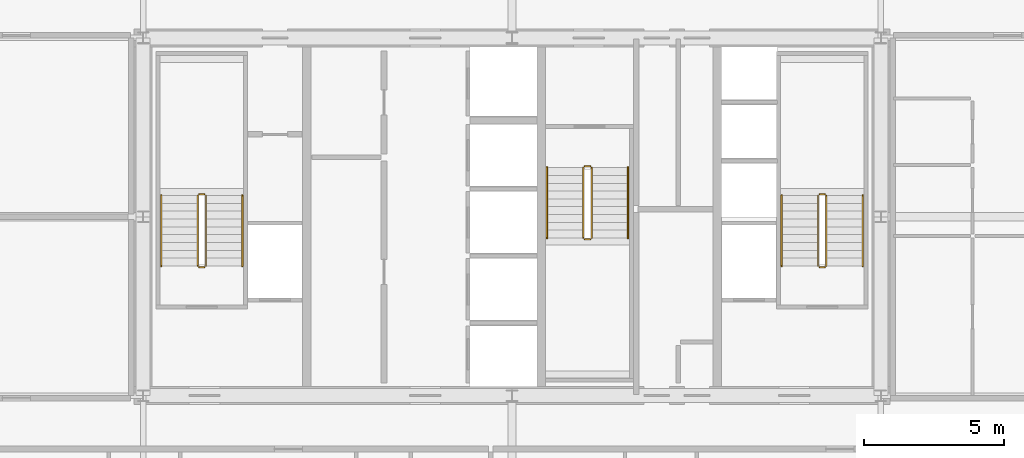
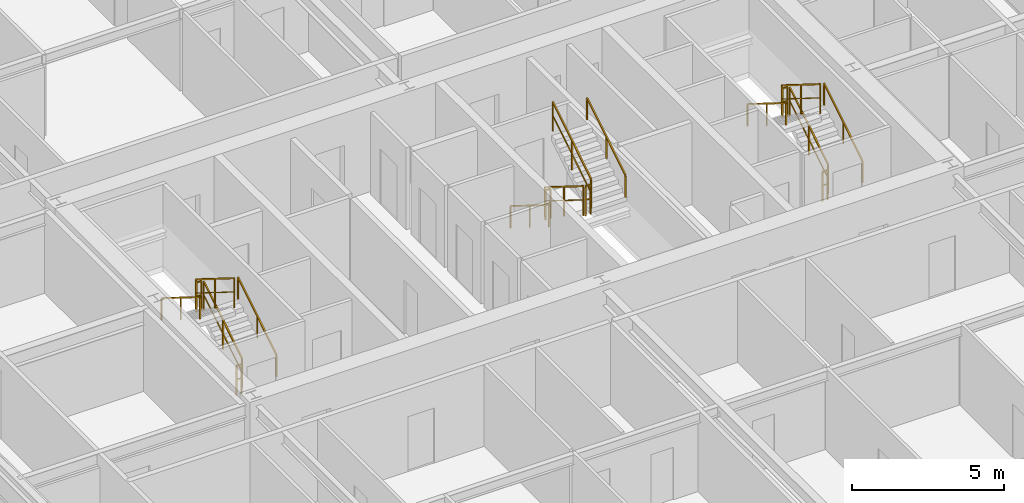
# One storey, part 38 of 38: 18 railings.
"""IFC4 building model written with IfcOpenShell, lengths in metres."""

from ifc_helpers import new_model, si_unit, direction, frame, origin, origin_2d, place, context, subcontext, project, spatial, rectangle, extrude, source, transform, mapped, material, layer, layer_set, type_object, element, save


model = new_model("IFC4")

# Units and contexts
model_context = context("Model", 3, precision=1e-05, world=origin(), true_north=direction((0.0, 1.0)))
body_context = subcontext(model_context, "Body", "Model", "MODEL_VIEW")
ifc_project = project(units=[si_unit("LENGTHUNIT", "METRE"), si_unit("AREAUNIT", "SQUARE_METRE"), si_unit("VOLUMEUNIT", "CUBIC_METRE"), si_unit("PLANEANGLEUNIT", "RADIAN"), si_unit("MASSUNIT", "GRAM", prefix="KILO"), si_unit("THERMODYNAMICTEMPERATUREUNIT", "KELVIN"), si_unit("POWERUNIT", "WATT")], contexts=[model_context])

# Site, building, storey
site_placement = place(None, origin())
site = spatial("IfcSite", under=ifc_project, at=site_placement, CompositionType="ELEMENT")
building_placement = place(site_placement, origin())
building = spatial("IfcBuilding", under=site, at=building_placement, Name="Yuzanri Waterfront Tower", CompositionType="ELEMENT")
storey_placement = place(building_placement, frame((0.0, 0.0, 195.0)))
storey = spatial("IfcBuildingStorey", under=building, at=storey_placement, Name="L51", CompositionType="ELEMENT", Elevation=195.0)

# Railings
ifc_material_1 = material(Name="Painted Galvanized Fire Steel", Category="steel")
ifc_layer_1 = layer(ifc_material_1, 0.06005859375)
ifc_layer_set_1 = layer_set([ifc_layer_1], Name="Painted Galvanized Fire Steel")
railing_type_1 = type_object("IfcRailingType", Name="Painted Steel Stairwell Guardrail 1120", PredefinedType="GUARDRAIL", material=ifc_layer_set_1)
shared_shape_1 = source(origin(), body_context, "Body", "SweptSolid", [
    extrude(rectangle(XDim=0.050048828125, YDim=0.050048828125, at=origin_2d()), frame((0.0, 0.0, 1.1748046875), z_axis=(-1.0, 0.0, 0.0), x_axis=(0.0, -1.0, 0.0)), (0.0, 0.0, 1.0), 0.199951171875),
    extrude(rectangle(XDim=0.035888671875, YDim=0.030029296875, at=origin_2d()), frame((0.0, 0.0, 0.6240234375), z_axis=(-1.0, 0.0, 0.0), x_axis=(0.0, -1.0, 0.0)), (0.0, 0.0, 1.0), 0.199951171875),
    extrude(rectangle(XDim=0.0458984375, YDim=0.0458984375, at=origin_2d()), origin(), (0.0, 0.0, 1.0), 1.14990234375),
    extrude(rectangle(XDim=0.0458984375, YDim=0.0458984375, at=origin_2d()), frame((-0.199951171875, 0.0, 0.0)), (0.0, 0.0, 1.0), 1.14990234375),
])
for number, where, name in (
    (1, (26.0, 26.610107421875, 1.75), "L51 ST-01 stair guard 2"),
    (2, (26.0, 23.989990234375, 0.0), "L51 ST-01 stair guard 4"),
    (3, (48.199951171875, 26.610107421875, 1.75), "L51 ST-02 stair guard 2"),
    (4, (48.199951171875, 23.989990234375, 0.0), "L51 ST-02 stair guard 4"),
):
    element("IfcRailing", number, at=place(storey_placement, frame(where)), inside=storey, type_object=railing_type_1, Name=name, PredefinedType="GUARDRAIL", context=body_context, shape_type="MappedRepresentation", body=[
        mapped(shared_shape_1, transform((0.0, 0.0, 0.0), scale=1.0)),
    ])
shared_shape_2 = source(origin(), body_context, "Body", "SweptSolid", [
    extrude(rectangle(XDim=0.050048828125, YDim=0.050048828125, at=origin_2d()), frame((0.0, 0.0, 1.1748046875), z_axis=(0.0, 0.848007534815, 0.529984170421), x_axis=(-1.0, 0.0, 0.0)), (0.0, 0.0, 1.0), 2.9716796875),
    extrude(rectangle(XDim=0.035888671875, YDim=0.030029296875, at=origin_2d()), frame((0.0, 0.0, 0.6240234375), z_axis=(0.0, 0.848007534815, 0.529984170421), x_axis=(-1.0, 0.0, 0.0)), (0.0, 0.0, 1.0), 2.9716796875),
    extrude(rectangle(XDim=0.0458984375, YDim=0.0458984375, at=origin_2d()), origin(), (0.0, 0.0, 1.0), 1.14990234375),
    extrude(rectangle(XDim=0.0458984375, YDim=0.0458984375, at=origin_2d()), frame((0.0, 1.260009765625, 0.78759765625)), (0.0, 0.0, 1.0), 1.14990234375),
    extrude(rectangle(XDim=0.0458984375, YDim=0.0458984375, at=origin_2d()), frame((0.0, 2.52001953125, 1.574951171875)), (0.0, 0.0, 1.0), 1.14990234375),
])
for number, where, name in (
    (5, (26.050048828125, 24.0400390625, 0.175048828125), "L51 ST-01 stair guard 1"),
    (6, (48.25, 24.0400390625, 0.175048828125), "L51 ST-02 stair guard 1"),
    (7, (39.85009765625, 25.0400390625, 1.925048828125), "L51 ST-03 stair guard 3"),
):
    element("IfcRailing", number, at=place(storey_placement, frame(where)), inside=storey, type_object=railing_type_1, Name=name, PredefinedType="GUARDRAIL", context=body_context, shape_type="MappedRepresentation", body=[
        mapped(shared_shape_2, transform((0.0, 0.0, 0.0), scale=1.0)),
    ])
shared_shape_3 = source(origin(), body_context, "Body", "SweptSolid", [
    extrude(rectangle(XDim=0.050048828125, YDim=0.050048828125, at=origin_2d()), frame((0.0, 0.0, 1.1748046875), z_axis=(0.0, -0.848007534815, 0.529984170421), x_axis=(1.0, 0.0, 0.0)), (0.0, 0.0, 1.0), 2.9716796875),
    extrude(rectangle(XDim=0.035888671875, YDim=0.030029296875, at=origin_2d()), frame((0.0, 0.0, 0.6240234375), z_axis=(0.0, -0.848007534815, 0.529984170421), x_axis=(1.0, 0.0, 0.0)), (0.0, 0.0, 1.0), 2.9716796875),
    extrude(rectangle(XDim=0.0458984375, YDim=0.0458984375, at=origin_2d()), origin(), (0.0, 0.0, 1.0), 1.14990234375),
    extrude(rectangle(XDim=0.0458984375, YDim=0.0458984375, at=origin_2d()), frame((0.0, -1.260009765625, 0.78759765625)), (0.0, 0.0, 1.0), 1.14990234375),
    extrude(rectangle(XDim=0.0458984375, YDim=0.0458984375, at=origin_2d()), frame((0.0, -2.52001953125, 1.574951171875)), (0.0, 0.0, 1.0), 1.14990234375),
])
for number, where, name in (
    (8, (25.75, 26.56005859375, 1.925048828125), "L51 ST-01 stair guard 3"),
    (9, (47.949951171875, 26.56005859375, 1.925048828125), "L51 ST-02 stair guard 3"),
    (10, (39.550048828125, 27.56005859375, 0.175048828125), "L51 ST-03 stair guard 1"),
):
    element("IfcRailing", number, at=place(storey_placement, frame(where)), inside=storey, type_object=railing_type_1, Name=name, PredefinedType="GUARDRAIL", context=body_context, shape_type="MappedRepresentation", body=[
        mapped(shared_shape_3, transform((0.0, 0.0, 0.0), scale=1.0)),
    ])
ifc_material_2 = material(Name="Anodized Architectural Bronze", Category="metal")
ifc_layer_2 = layer(ifc_material_2, 0.050048828125)
ifc_layer_set_2 = layer_set([ifc_layer_2], Name="Anodized Architectural Bronze")
railing_type_2 = type_object("IfcRailingType", Name="Brushed Bronze Stair Pitch Handrail 920", PredefinedType="HANDRAIL", material=ifc_layer_set_2)
shared_shape_4 = source(origin(), body_context, "Body", "SweptSolid", [
    extrude(rectangle(XDim=0.050048828125, YDim=0.050048828125, at=origin_2d()), frame((0.0, 0.0, 0.875), z_axis=(0.0, 0.848007534815, 0.529984170421), x_axis=(-1.0, 0.0, 0.0)), (0.0, 0.0, 1.0), 2.9716796875),
    extrude(rectangle(XDim=0.0458984375, YDim=0.0458984375, at=origin_2d()), origin(), (0.0, 0.0, 1.0), 0.849853515625),
    extrude(rectangle(XDim=0.0458984375, YDim=0.0458984375, at=origin_2d()), frame((0.0, 1.260009765625, 0.78759765625)), (0.0, 0.0, 1.0), 0.849853515625),
    extrude(rectangle(XDim=0.0458984375, YDim=0.0458984375, at=origin_2d()), frame((0.0, 2.52001953125, 1.574951171875)), (0.0, 0.0, 1.0), 0.849853515625),
])
for number, where, name in (
    (11, (27.35009765625, 24.0400390625, 0.175048828125), "L51 ST-01 stair handrail 1"),
    (12, (49.550048828125, 24.0400390625, 0.175048828125), "L51 ST-02 stair handrail 1"),
    (13, (41.14990234375, 25.0400390625, 1.925048828125), "L51 ST-03 stair handrail 2"),
):
    element("IfcRailing", number, at=place(storey_placement, frame(where)), inside=storey, type_object=railing_type_2, Name=name, PredefinedType="HANDRAIL", context=body_context, shape_type="MappedRepresentation", body=[
        mapped(shared_shape_4, transform((0.0, 0.0, 0.0), scale=1.0)),
    ])
shared_shape_5 = source(origin(), body_context, "Body", "SweptSolid", [
    extrude(rectangle(XDim=0.050048828125, YDim=0.050048828125, at=origin_2d()), frame((0.0, 0.0, 0.875), z_axis=(0.0, -0.848007534815, 0.529984170421), x_axis=(1.0, 0.0, 0.0)), (0.0, 0.0, 1.0), 2.9716796875),
    extrude(rectangle(XDim=0.0458984375, YDim=0.0458984375, at=origin_2d()), origin(), (0.0, 0.0, 1.0), 0.849853515625),
    extrude(rectangle(XDim=0.0458984375, YDim=0.0458984375, at=origin_2d()), frame((0.0, -1.260009765625, 0.78759765625)), (0.0, 0.0, 1.0), 0.849853515625),
    extrude(rectangle(XDim=0.0458984375, YDim=0.0458984375, at=origin_2d()), frame((0.0, -2.52001953125, 1.574951171875)), (0.0, 0.0, 1.0), 0.849853515625),
])
for number, where, name in (
    (14, (24.449951171875, 26.56005859375, 1.925048828125), "L51 ST-01 stair handrail 2"),
    (15, (46.64990234375, 26.56005859375, 1.925048828125), "L51 ST-02 stair handrail 2"),
    (16, (38.25, 27.56005859375, 0.175048828125), "L51 ST-03 stair handrail 1"),
):
    element("IfcRailing", number, at=place(storey_placement, frame(where)), inside=storey, type_object=railing_type_2, Name=name, PredefinedType="HANDRAIL", context=body_context, shape_type="MappedRepresentation", body=[
        mapped(shared_shape_5, transform((0.0, 0.0, 0.0), scale=1.0)),
    ])
shared_shape_6 = source(origin(), body_context, "Body", "SweptSolid", [
    extrude(rectangle(XDim=0.050048828125, YDim=0.050048828125, at=origin_2d()), frame((0.0, 0.0, 1.1748046875), z_axis=(1.0, 0.0, 0.0), x_axis=(0.0, 1.0, 0.0)), (0.0, 0.0, 1.0), 0.199951171875),
    extrude(rectangle(XDim=0.035888671875, YDim=0.030029296875, at=origin_2d()), frame((0.0, 0.0, 0.6240234375), z_axis=(1.0, 0.0, 0.0), x_axis=(0.0, 1.0, 0.0)), (0.0, 0.0, 1.0), 0.199951171875),
    extrude(rectangle(XDim=0.0458984375, YDim=0.0458984375, at=origin_2d()), origin(), (0.0, 0.0, 1.0), 1.14990234375),
    extrude(rectangle(XDim=0.0458984375, YDim=0.0458984375, at=origin_2d()), frame((0.199951171875, 0.0, 0.0)), (0.0, 0.0, 1.0), 1.14990234375),
])
for number, where, name in (
    (17, (39.60009765625, 24.989990234375, 1.75), "L51 ST-03 stair guard 2"),
    (18, (39.60009765625, 27.610107421875, 0.0), "L51 ST-03 stair guard 4"),
):
    element("IfcRailing", number, at=place(storey_placement, frame(where)), inside=storey, type_object=railing_type_1, Name=name, PredefinedType="GUARDRAIL", context=body_context, shape_type="MappedRepresentation", body=[
        mapped(shared_shape_6, transform((0.0, 0.0, 0.0), scale=1.0)),
    ])

save(model, "model.ifc")
